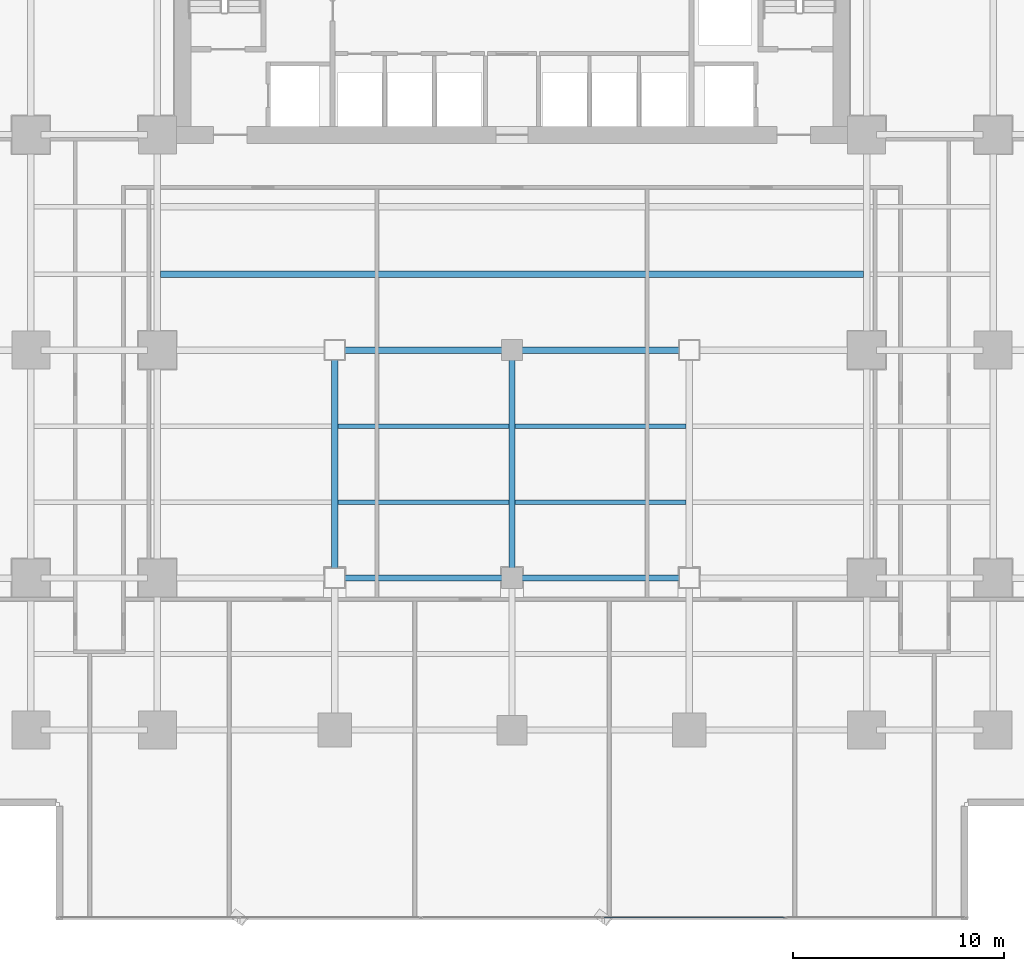
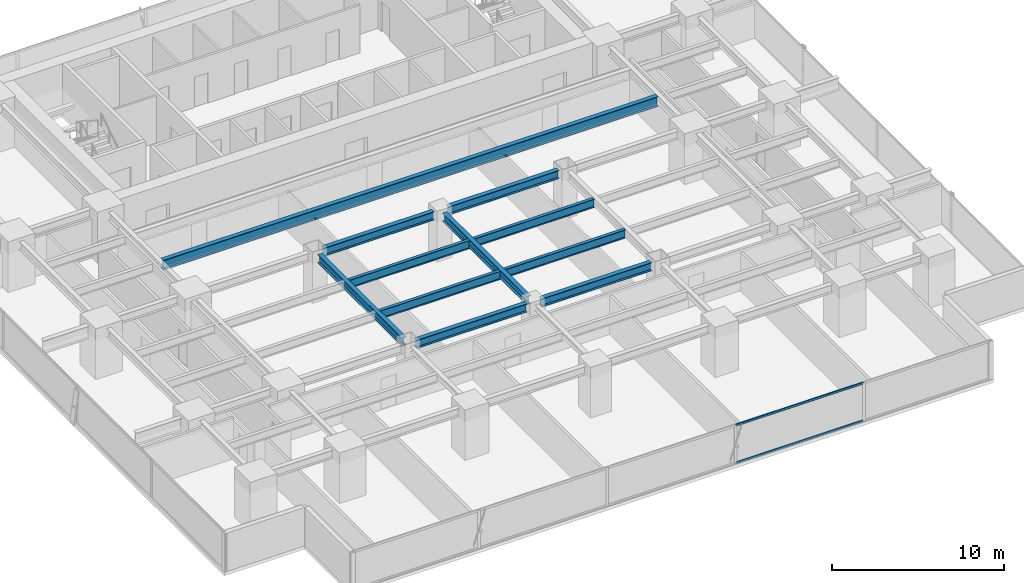
# One storey, part 10 of 33: 11 beams, 2 members, 1 element without a shape of its own.
"""IFC4 building model written with IfcOpenShell, lengths in metres."""

from ifc_helpers import new_model, si_unit, direction, frame, origin, origin_2d, place, context, subcontext, project, spatial, hollow_rectangle, i_section, extrude, source, transform, mapped, material, layer, layer_set, material_profile, profile_set, type_object, element, aggregate, save


model = new_model("IFC4")

# Units and contexts
model_context = context("Model", 3, precision=1e-05, world=origin(), true_north=direction((0.0, 1.0)))
body_context = subcontext(model_context, "Body", "Model", "MODEL_VIEW")
ifc_project = project(units=[si_unit("LENGTHUNIT", "METRE"), si_unit("AREAUNIT", "SQUARE_METRE"), si_unit("VOLUMEUNIT", "CUBIC_METRE"), si_unit("PLANEANGLEUNIT", "RADIAN"), si_unit("MASSUNIT", "GRAM", prefix="KILO")], contexts=[model_context])

# Site, building, storey
site_placement = place(None, origin())
site = spatial("IfcSite", under=ifc_project, at=site_placement, CompositionType="ELEMENT")
building_placement = place(site_placement, origin())
building = spatial("IfcBuilding", under=site, at=building_placement, Name="Sumidabori Civic Tower", CompositionType="ELEMENT")
storey_placement = place(building_placement, frame((0.0, 0.0, 59.60009765625)))
storey = spatial("IfcBuildingStorey", under=building, at=storey_placement, Name="L15", CompositionType="ELEMENT", Elevation=59.60009765625)

# Beams
ifc_material_1 = material(Name="Steel SN490", Category="steel")
ifc_material_profile_1 = material_profile(ifc_material_1, i_section(OverallWidth=0.300048828125, OverallDepth=0.60009765625, WebThickness=0.015380859375, FlangeThickness=0.030029296875, at=origin_2d()), Name="HE 600 B")
ifc_profile_set_1 = profile_set([ifc_material_profile_1], Name="Steel SN490")
beam_type_1 = type_object("IfcBeamType", Name="BM-GIRD-600", PredefinedType="BEAM", material=ifc_profile_set_1)
shared_shape_1 = source(origin(), body_context, "Body", "SweptSolid", [
    extrude(i_section(OverallWidth=0.300048828125, OverallDepth=0.60009765625, WebThickness=0.015380859375, FlangeThickness=0.030029296875, at=origin_2d()), origin(), (0.0, 0.0, 1.0), 7.43994140625),
])
for number, where, z_axis, x_axis, name in (
    (1, (-7.919921875, -10.800048828125, 3.059814453125), (1.0, 0.0, 0.0), (0.0, 1.0, 0.0), "Primary Girder L15 GX-09"),
    (2, (0.47998046875, -10.800048828125, 3.059814453125), (1.0, 0.0, 0.0), (0.0, 1.0, 0.0), "Primary Girder L15 GX-10"),
    (3, (-7.919921875, 0.0, 3.059814453125), (1.0, 0.0, 0.0), (0.0, 1.0, 0.0), "Primary Girder L15 GX-15"),
    (4, (0.47998046875, 0.0, 3.059814453125), (1.0, 0.0, 0.0), (0.0, 1.0, 0.0), "Primary Girder L15 GX-16"),
):
    element("IfcBeam", number, at=place(storey_placement, frame(where, z_axis=z_axis, x_axis=x_axis)), inside=storey, type_object=beam_type_1, Name=name, PredefinedType="BEAM", context=body_context, shape_type="MappedRepresentation", body=[
        mapped(shared_shape_1, transform((0.0, 0.0, 0.0), x_axis=(1.0, 0.0, 0.0), y_axis=(0.0, 1.0, 0.0), z_axis=(0.0, 0.0, 1.0), scale=1.0)),
    ])
shared_shape_2 = source(origin(), body_context, "Body", "SweptSolid", [
    extrude(i_section(OverallWidth=0.300048828125, OverallDepth=0.60009765625, WebThickness=0.015380859375, FlangeThickness=0.030029296875, at=origin_2d()), origin(), (0.0, 0.0, 1.0), 9.840087890625),
])
for number, where, z_axis, x_axis, name in (
    (5, (-8.39990234375, -10.320068359375, 3.059814453125), (0.0, 1.0, 0.0), (-1.0, 0.0, 0.0), "Primary Girder L15 GY-30"),
    (6, (0.0, -10.320068359375, 3.059814453125), (0.0, 1.0, 0.0), (-1.0, 0.0, 0.0), "Primary Girder L15 GY-32"),
):
    element("IfcBeam", number, at=place(storey_placement, frame(where, z_axis=z_axis, x_axis=x_axis)), inside=storey, type_object=beam_type_1, Name=name, PredefinedType="BEAM", context=body_context, shape_type="MappedRepresentation", body=[
        mapped(shared_shape_2, transform((0.0, 0.0, 0.0), x_axis=(1.0, 0.0, 0.0), y_axis=(0.0, 1.0, 0.0), z_axis=(0.0, 0.0, 1.0), scale=1.0)),
    ])
ifc_material_profile_2 = material_profile(ifc_material_1, i_section(OverallWidth=0.300048828125, OverallDepth=0.699951171875, WebThickness=0.01708984375, FlangeThickness=0.031982421875, at=origin_2d()), Name="HE 700 B")
ifc_profile_set_2 = profile_set([ifc_material_profile_2], Name="Steel SN490")
beam_type_2 = type_object("IfcBeamType", Name="BM-GIRD-700", PredefinedType="BEAM", material=ifc_profile_set_2)
shared_shape_3 = source(origin(), body_context, "Body", "SweptSolid", [
    extrude(i_section(OverallWidth=0.300048828125, OverallDepth=0.699951171875, WebThickness=0.01708984375, FlangeThickness=0.031982421875, at=origin_2d()), origin(), (0.0, 0.0, 1.0), 33.2998046875),
])
beam_placement = place(storey_placement, frame((-16.64990234375, 3.60009765625, 3.010009765625), z_axis=(1.0, 0.0, 0.0), x_axis=(0.0, 1.0, 0.0)))
element("IfcBeam", 7, at=beam_placement, inside=storey, type_object=beam_type_2, Name="North Bay Floor Beam L15 JSTN-59", PredefinedType="BEAM", context=body_context, shape_type="MappedRepresentation", body=[
    mapped(shared_shape_3, transform((0.0, 0.0, 0.0), x_axis=(1.0, 0.0, 0.0), y_axis=(0.0, 1.0, 0.0), z_axis=(0.0, 0.0, 1.0), scale=1.0)),
])
ifc_material_profile_3 = material_profile(ifc_material_1, i_section(OverallWidth=0.219970703125, OverallDepth=0.60009765625, WebThickness=0.011962890625, FlangeThickness=0.01904296875, at=origin_2d()), Name="IPE 600")
ifc_profile_set_3 = profile_set([ifc_material_profile_3], Name="Steel SN490")
beam_type_3 = type_object("IfcBeamType", Name="BM-JST-600", PredefinedType="JOIST", material=ifc_profile_set_3)
shared_shape_4 = source(origin(), body_context, "Body", "SweptSolid", [
    extrude(i_section(OverallWidth=0.219970703125, OverallDepth=0.60009765625, WebThickness=0.011962890625, FlangeThickness=0.01904296875, at=origin_2d()), origin(), (0.0, 0.0, 1.0), 8.10009765625),
])
for number, where, z_axis, x_axis, name in (
    (8, (-8.25, -7.199951171875, 3.059814453125), (1.0, 0.0, 0.0), (0.0, 1.0, 0.0), "South Bay Floor Joist L15 JSTS-66"),
    (9, (0.14990234375, -7.199951171875, 3.059814453125), (1.0, 0.0, 0.0), (0.0, 1.0, 0.0), "South Bay Floor Joist L15 JSTS-67"),
    (10, (-8.25, -3.60009765625, 3.059814453125), (1.0, 0.0, 0.0), (0.0, 1.0, 0.0), "South Bay Floor Joist L15 JSTS-70"),
    (11, (0.14990234375, -3.60009765625, 3.059814453125), (1.0, 0.0, 0.0), (0.0, 1.0, 0.0), "South Bay Floor Joist L15 JSTS-71"),
):
    element("IfcBeam", number, at=place(storey_placement, frame(where, z_axis=z_axis, x_axis=x_axis)), inside=storey, type_object=beam_type_3, Name=name, PredefinedType="JOIST", context=body_context, shape_type="MappedRepresentation", body=[
        mapped(shared_shape_4, transform((0.0, 0.0, 0.0), x_axis=(1.0, 0.0, 0.0), y_axis=(0.0, 1.0, 0.0), z_axis=(0.0, 0.0, 1.0), scale=1.0)),
    ])

# Curtain wall, members
ifc_material_2 = material(Name="Anodised Bronze Aluminium AW-6063-T6", Category="aluminium")
ifc_layer = layer(ifc_material_2, 0.179931640625, Name="Anodised Bronze Aluminium AW-6063-T6")
ifc_layer_set = layer_set([ifc_layer], Name="Anodised Bronze Aluminium AW-6063-T6")
curtain_wall_type = type_object("IfcCurtainWallType", Name="CW-SYS-2", PredefinedType="NOTDEFINED", material=ifc_layer_set)
curtain_wall_placement = place(storey_placement, origin())
curtain_wall = element("IfcCurtainWall", 12, at=curtain_wall_placement, inside=storey, type_object=curtain_wall_type, Name="Curtain Wall CW:L15:R01", PredefinedType="NOTDEFINED")
ifc_material_profile_4 = material_profile(ifc_material_2, hollow_rectangle(XDim=0.06494140625, YDim=0.14990234375, WallThickness=0.0048828125, at=origin_2d()), Name="ALU TRANSOM 150x65")
ifc_profile_set_4 = profile_set([ifc_material_profile_4], Name="Anodised Bronze Aluminium AW-6063-T6")
member_type = type_object("IfcMemberType", Name="CW-TRN-150", PredefinedType="USERDEFINED", material=ifc_profile_set_4)
shared_shape_5 = source(origin(), body_context, "Body", "SweptSolid", [
    extrude(hollow_rectangle(XDim=0.06494140625, YDim=0.14990234375, WallThickness=0.0048828125, at=origin_2d()), origin(), (0.0, 0.0, 1.0), 8.557861328125),
])
member_1_placement = place(storey_placement, frame((4.34912109375, -26.8798828125, 0.032470703125), z_axis=(1.0, 0.0, 0.0), x_axis=(0.0, 1.0, 0.0)))
member_1 = element("IfcMember", 13, at=member_1_placement, type_object=member_type, Name="CW-2 transom 4.1", ObjectType="TRANSOM", PredefinedType="USERDEFINED", context=body_context, shape_type="MappedRepresentation", body=[
    mapped(shared_shape_5, transform((0.0, 0.0, 0.0), x_axis=(1.0, 0.0, 0.0), y_axis=(0.0, 1.0, 0.0), z_axis=(0.0, 0.0, 1.0), scale=1.0)),
])
member_2_placement = place(storey_placement, frame((4.34912109375, -26.8798828125, 2.70751953125), z_axis=(1.0, 0.0, 0.0), x_axis=(0.0, 1.0, 0.0)))
member_2 = element("IfcMember", 14, at=member_2_placement, type_object=member_type, Name="CW-2 transom 4.2", ObjectType="TRANSOM", PredefinedType="USERDEFINED", context=body_context, shape_type="MappedRepresentation", body=[
    mapped(shared_shape_5, transform((0.0, 0.0, 0.0), x_axis=(1.0, 0.0, 0.0), y_axis=(0.0, 1.0, 0.0), z_axis=(0.0, 0.0, 1.0), scale=1.0)),
])
aggregate(curtain_wall, [member_1, member_2])

save(model, "model.ifc")
